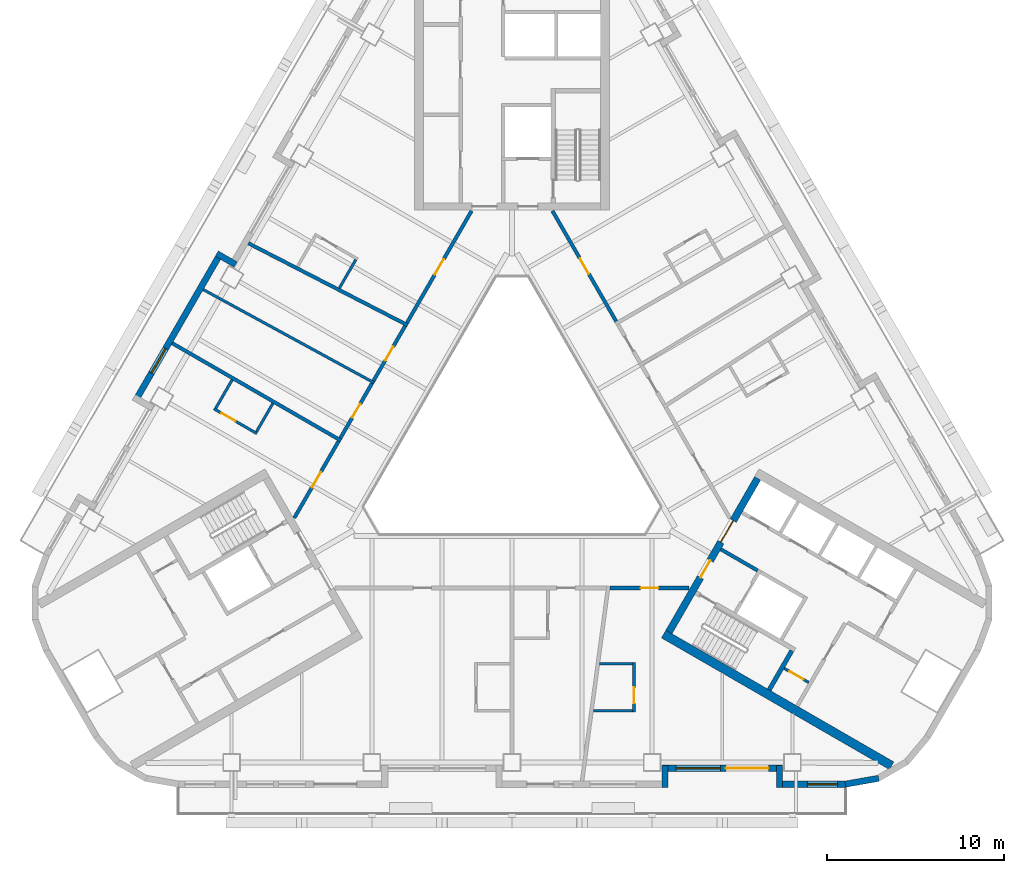
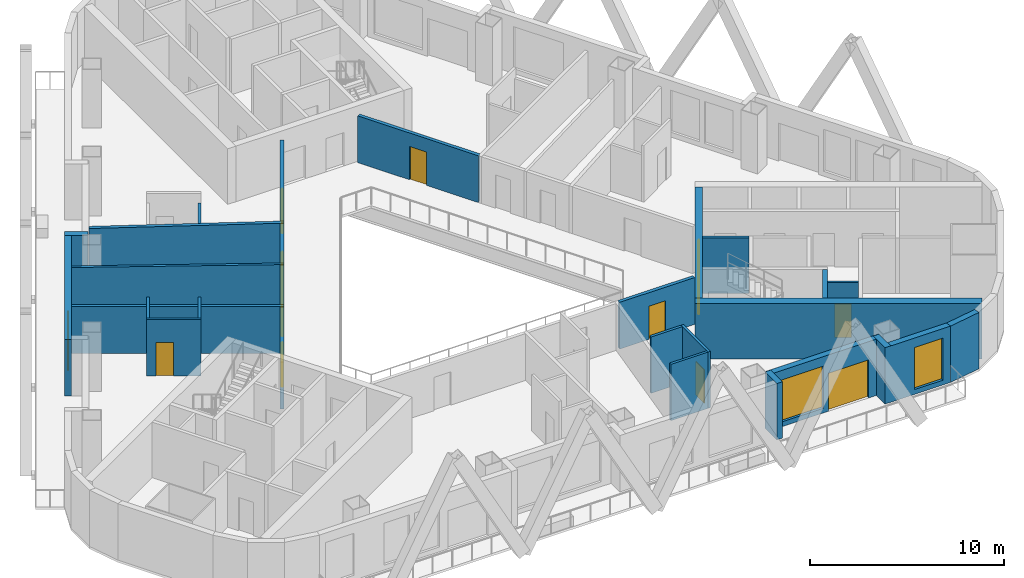
# One storey, part 4 of 13: 28 walls, 12 doors, 3 windows, 15 openings.
"""IFC4 building model written with IfcOpenShell, lengths in metres."""

from ifc_helpers import new_model, si_unit, direction, frame, frame_2d, origin, place, context, subcontext, project, spatial, rectangle, extrude, material, layer, layer_set, type_object, element, fill, save


model = new_model("IFC4")

# Units and contexts
model_context = context("Model", 3, precision=1e-05, world=origin(), true_north=direction((0.0, 1.0)))
body_context = subcontext(model_context, "Body", "Model", "MODEL_VIEW")
ifc_project = project(units=[si_unit("LENGTHUNIT", "METRE"), si_unit("AREAUNIT", "SQUARE_METRE"), si_unit("VOLUMEUNIT", "CUBIC_METRE"), si_unit("PLANEANGLEUNIT", "RADIAN"), si_unit("MASSUNIT", "GRAM", prefix="KILO")], contexts=[model_context])

# Site, building, storey
site_placement = place(None, origin())
site = spatial("IfcSite", under=ifc_project, at=site_placement, CompositionType="ELEMENT")
building_placement = place(site_placement, origin())
building = spatial("IfcBuilding", under=site, at=building_placement, Name="Apuvela Tower Hotel", CompositionType="ELEMENT")
storey_placement = place(building_placement, frame((0.0, 0.0, 61.300048828125)))
storey = spatial("IfcBuildingStorey", under=building, at=storey_placement, Name="L12", CompositionType="ELEMENT", Elevation=61.300048828125)

# Wall, openings, doors
ifc_material_1 = material(Name="Concrete C50/60", Category="concrete")
ifc_layer_1 = layer(ifc_material_1, 0.39990234375)
ifc_layer_set_1 = layer_set([ifc_layer_1], Name="COR-WALL-CORE-400")
wall_type_1 = type_object("IfcWallType", Name="COR-WALL-CORE-400", PredefinedType="SHEAR", material=ifc_layer_set_1)
wall_1_placement = place(storey_placement, frame((8.844970703125, -10.880126953125, 0.0), z_axis=(0.0, 0.0, 1.0), x_axis=(0.500004234368, 0.866022959057, 0.0)))
wall_1 = element("IfcWall", 1, at=wall_1_placement, inside=storey, type_object=wall_type_1, Name="Core wall SE", PredefinedType="SHEAR", context=body_context, shape_type="SweptSolid", body=[
    extrude(rectangle(XDim=10.0, YDim=0.39990234375, at=frame_2d((5.0, 0.0))), origin(), (0.0, 0.0, 1.0), 3.5),
])
opening_1_placement = place(wall_1_placement, frame((3.550048828125, 0.0, 0.0)))
opening_1 = element("IfcOpeningElement", 2, at=opening_1_placement, cuts=wall_1, Name="Opening E-FD", PredefinedType="OPENING", context=body_context, shape_type="SweptSolid", body=[
    extrude(rectangle(XDim=1.10009765625, YDim=2.10009765625, at=frame_2d((0.550048828125, 1.050048828125))), frame((0.0, 0.2099609375, 0.0), z_axis=(0.0, -1.0, 0.0), x_axis=(1.0, 0.0, 0.0)), (0.0, 0.0, 1.0), 0.419921875),
])
opening_2_placement = place(wall_1_placement, frame((5.85009765625, 0.0, 0.0)))
opening_2 = element("IfcOpeningElement", 3, at=opening_2_placement, cuts=wall_1, Name="Opening E-GD", PredefinedType="OPENING", context=body_context, shape_type="SweptSolid", body=[
    extrude(rectangle(XDim=1.39990234375, YDim=2.10009765625, at=frame_2d((0.699951171875, 1.050048828125))), frame((0.0, 0.2099609375, 0.0), z_axis=(0.0, -1.0, 0.0), x_axis=(1.0, 0.0, 0.0)), (0.0, 0.0, 1.0), 0.419921875),
])
ifc_material_2 = material(Name="Steel fire door, powder coated", Category="steel")
door_type_1 = type_object("IfcDoorType", Name="COR-FD-1100", OperationType="NOTDEFINED", PredefinedType="DOOR", material=ifc_material_2)
door_1_placement = place(opening_1_placement, frame((1.10009765625, 0.0, 0.0), z_axis=(0.0, 0.0, 1.0), x_axis=(-1.0, 0.0, 0.0)))
door_1 = element("IfcDoor", 4, at=door_1_placement, inside=storey, type_object=door_type_1, Name="Firefighting lobby door E-FD", OperationType="SINGLE_SWING_LEFT", OverallHeight=2.10009765625, OverallWidth=1.10009765625, PredefinedType="DOOR", context=body_context, shape_type="SweptSolid", body=[
    extrude(rectangle(XDim=1.10009765625, YDim=2.10009765625, at=frame_2d((0.550048828125, 1.050048828125))), frame((0.0, 0.02490234375, 0.0), z_axis=(0.0, -1.0, 0.0), x_axis=(1.0, 0.0, 0.0)), (0.0, 0.0, 1.0), 0.050048828125),
])
fill(opening_1, door_1)
ifc_material_3 = material(Name="Glazed steel fire door", Category="steel")
door_type_2 = type_object("IfcDoorType", Name="COR-GD-1400", OperationType="DOUBLE_DOOR_SINGLE_SWING", PredefinedType="DOOR", material=ifc_material_3)
door_2_placement = place(opening_2_placement, frame((1.39990234375, 0.0, 0.0), z_axis=(0.0, 0.0, 1.0), x_axis=(-1.0, 0.0, 0.0)))
door_2 = element("IfcDoor", 5, at=door_2_placement, inside=storey, type_object=door_type_2, Name="Lift lobby door E-GD", OperationType="DOUBLE_DOOR_SINGLE_SWING", OverallHeight=2.10009765625, OverallWidth=1.39990234375, PredefinedType="DOOR", context=body_context, shape_type="SweptSolid", body=[
    extrude(rectangle(XDim=1.39990234375, YDim=2.10009765625, at=frame_2d((0.699951171875, 1.050048828125))), frame((0.0, 0.02490234375, 0.0), z_axis=(0.0, -1.0, 0.0), x_axis=(1.0, 0.0, 0.0)), (0.0, 0.0, 1.0), 0.050048828125),
])
fill(opening_2, door_2)

# Wall
ifc_layer_2 = layer(ifc_material_1, 0.5)
ifc_layer_set_2 = layer_set([ifc_layer_2], Name="COR-WALL-CORE-500")
wall_type_2 = type_object("IfcWallType", Name="COR-WALL-CORE-500", PredefinedType="SHEAR", material=ifc_layer_set_2)
wall_2_placement = place(storey_placement, frame((8.546630859375, -10.99658203125, 0.0), z_axis=(0.0, 0.0, 1.0), x_axis=(0.866025009528, -0.500000682871, 0.0)))
element("IfcWall", 6, at=wall_2_placement, inside=storey, type_object=wall_type_2, Name="Core wall SE", PredefinedType="SHEAR", context=body_context, shape_type="SweptSolid", body=[
    extrude(rectangle(XDim=14.8369140625, YDim=0.5, at=frame_2d((7.41845703125, 0.0))), origin(), (0.0, 0.0, 1.0), 3.5),
])

# Wall, opening, door
ifc_material_4 = material(Name="Blockwork 150 mm plastered", Category="masonry")
ifc_layer_3 = layer(ifc_material_4, 0.14990234375)
ifc_layer_set_3 = layer_set([ifc_layer_3], Name="COR-WALL-PART-150")
wall_type_3 = type_object("IfcWallType", Name="COR-WALL-PART-150", PredefinedType="PARTITIONING", material=ifc_layer_set_3)
wall_3_placement = place(storey_placement, frame((15.341552734375, -12.927734375, 0.0), z_axis=(0.0, 0.0, 1.0), x_axis=(0.865989903783, -0.500061482766, 0.0)))
wall_3 = element("IfcWall", 7, at=wall_3_placement, inside=storey, type_object=wall_type_3, Name="Partition SE", PredefinedType="PARTITIONING", context=body_context, shape_type="SweptSolid", body=[
    extrude(rectangle(XDim=1.599853515625, YDim=0.14990234375, at=frame_2d((0.7998046875, 0.0))), origin(), (0.0, 0.0, 1.0), 3.5),
])
opening_3_placement = place(wall_3_placement, frame((0.35009765625, 0.0, 0.0)))
opening_3 = element("IfcOpeningElement", 8, at=opening_3_placement, cuts=wall_3, Name="Opening E-RD", PredefinedType="OPENING", context=body_context, shape_type="SweptSolid", body=[
    extrude(rectangle(XDim=0.89990234375, YDim=2.10009765625, at=frame_2d((0.449951171875, 1.050048828125))), frame((0.0, 0.0849609375, 0.0), z_axis=(0.0, -1.0, 0.0), x_axis=(1.0, 0.0, 0.0)), (0.0, 0.0, 1.0), 0.169921875),
])
ifc_material_5 = material(Name="Steel access door, powder coated", Category="steel")
door_type_3 = type_object("IfcDoorType", Name="COR-RD-900", OperationType="NOTDEFINED", PredefinedType="DOOR", material=ifc_material_5)
door_3_placement = place(opening_3_placement, frame((0.89990234375, 0.0, 0.0), z_axis=(0.0, 0.0, 1.0), x_axis=(-1.0, 0.0, 0.0)))
door_3 = element("IfcDoor", 9, at=door_3_placement, inside=storey, type_object=door_type_3, Name="Riser door E-RD", OperationType="SINGLE_SWING_LEFT", OverallHeight=2.10009765625, OverallWidth=0.89990234375, PredefinedType="DOOR", context=body_context, shape_type="SweptSolid", body=[
    extrude(rectangle(XDim=0.89990234375, YDim=2.10009765625, at=frame_2d((0.449951171875, 1.050048828125))), frame((0.0, 0.02490234375, 0.0), z_axis=(0.0, -1.0, 0.0), x_axis=(1.0, 0.0, 0.0)), (0.0, 0.0, 1.0), 0.050048828125),
])
fill(opening_3, door_3)

# Walls
ifc_layer_4 = layer(ifc_material_1, 0.199951171875)
ifc_layer_set_4 = layer_set([ifc_layer_4], Name="COR-WALL-SHAFT-200")
wall_type_4 = type_object("IfcWallType", Name="COR-WALL-SHAFT-200", PredefinedType="SHEAR", material=ifc_layer_set_4)
wall_4_placement = place(storey_placement, frame((11.76806640625, -6.217041015625, 0.0), z_axis=(0.0, 0.0, 1.0), x_axis=(0.866050077142, -0.499957262057, 0.0)))
element("IfcWall", 10, at=wall_4_placement, inside=storey, type_object=wall_type_4, Name="Shaft wall SE", PredefinedType="SHEAR", context=body_context, shape_type="SweptSolid", body=[
    extrude(rectangle(XDim=2.400146484375, YDim=0.199951171875, at=frame_2d((1.2001953125, 0.0))), origin(), (0.0, 0.0, 1.0), 3.5),
])
ifc_layer_5 = layer(ifc_material_1, 0.25)
ifc_layer_set_5 = layer_set([ifc_layer_5], Name="COR-WALL-STAIR-250")
wall_type_5 = type_object("IfcWallType", Name="COR-WALL-STAIR-250", PredefinedType="SHEAR", material=ifc_layer_set_5)
wall_5_placement = place(storey_placement, frame((14.49560546875, -14.142578125, 0.0), z_axis=(0.0, 0.0, 1.0), x_axis=(0.500062241894, 0.865989465428, 0.0)))
element("IfcWall", 11, at=wall_5_placement, inside=storey, type_object=wall_type_5, Name="Stair wall SE", PredefinedType="SHEAR", context=body_context, shape_type="SweptSolid", body=[
    extrude(rectangle(XDim=2.550048828125, YDim=0.25, at=frame_2d((1.27490234375, 0.0))), origin(), (0.0, 0.0, 1.0), 3.5),
])
ifc_material_6 = material(Name="Concrete C40/50, dark pigmented precast panel", Category="concrete")
ifc_layer_6 = layer(ifc_material_6, 0.35009765625)
ifc_layer_set_6 = layer_set([ifc_layer_6], Name="ENV-WALL-350")
wall_type_6 = type_object("IfcWallType", Name="ENV-WALL-350", PredefinedType="SOLIDWALL", material=ifc_layer_set_6)
wall_6_placement = place(storey_placement, frame((-15.580810546875, 9.8330078125, 0.0), z_axis=(0.0, 0.0, 1.0), x_axis=(-0.866055662726, 0.499947586314, 0.0)))
element("IfcWall", 12, at=wall_6_placement, inside=storey, type_object=wall_type_6, Name="External wall L12-04", PredefinedType="SOLIDWALL", context=body_context, shape_type="SweptSolid", body=[
    extrude(rectangle(XDim=1.220458984375, YDim=0.35009765625, at=frame_2d((0.6103515625, 0.0))), origin(), (0.0, 0.0, 1.0), 3.550048828125),
])

# Wall, opening, window
wall_7_placement = place(storey_placement, frame((-16.3984375, 10.507080078125, 0.0), z_axis=(0.0, 0.0, 1.0), x_axis=(-0.499999142773, -0.866025898704, 0.0)))
wall_7 = element("IfcWall", 13, at=wall_7_placement, inside=storey, type_object=wall_type_6, Name="External wall L12-05", PredefinedType="SOLIDWALL", context=body_context, shape_type="SweptSolid", body=[
    extrude(rectangle(XDim=9.7001953125, YDim=0.35009765625, at=frame_2d((4.85009765625, 0.0))), origin(), (0.0, 0.0, 1.0), 3.550048828125),
])
opening_4_placement = place(wall_7_placement, frame((6.25048828125, 0.0, 0.300048828125)))
opening_4 = element("IfcOpeningElement", 14, at=opening_4_placement, cuts=wall_7, Name="Opening WN16", PredefinedType="OPENING", context=body_context, shape_type="SweptSolid", body=[
    extrude(rectangle(XDim=1.60009765625, YDim=2.64990234375, at=frame_2d((0.800048828125, 1.324951171875))), frame((0.0, 0.18505859375, 0.0), z_axis=(0.0, -1.0, 0.0), x_axis=(1.0, 0.0, 0.0)), (0.0, 0.0, 1.0), 0.3701171875),
])
ifc_material_7 = material(Name="Glass, dark tinted laminated insulated glazing unit", Category="glass")
window_type_1 = type_object("IfcWindowType", Name="ENV-WIN-1600x2650", PartitioningType="SINGLE_PANEL", PredefinedType="WINDOW", material=ifc_material_7)
window_1_placement = place(opening_4_placement, origin())
window_1 = element("IfcWindow", 15, at=window_1_placement, inside=storey, type_object=window_type_1, Name="Window WN16", OverallHeight=2.64990234375, OverallWidth=1.60009765625, PartitioningType="SINGLE_PANEL", PredefinedType="WINDOW", context=body_context, shape_type="SweptSolid", body=[
    extrude(rectangle(XDim=1.60009765625, YDim=2.64990234375, at=frame_2d((0.800048828125, 1.324951171875))), frame((0.0, 0.030029296875, 0.0), z_axis=(0.0, -1.0, 0.0), x_axis=(1.0, 0.0, 0.0)), (0.0, 0.0, 1.0), 0.06005859375),
])
fill(opening_4, window_1)

# Wall
wall_8_placement = place(storey_placement, frame((8.625, -19.6298828125, 0.0), z_axis=(0.0, 0.0, 1.0), x_axis=(0.0, 1.0, 0.0)))
element("IfcWall", 16, at=wall_8_placement, inside=storey, type_object=wall_type_6, Name="External wall L12-22", PredefinedType="SOLIDWALL", context=body_context, shape_type="SweptSolid", body=[
    extrude(rectangle(XDim=1.219970703125, YDim=0.35009765625, at=frame_2d((0.60986328125, 0.0))), origin(), (0.0, 0.0, 1.0), 3.550048828125),
])

# Wall, openings, door, window
wall_9_placement = place(storey_placement, frame((8.47998046875, -18.554931640625, 0.0), z_axis=(0.0, 0.0, 1.0), x_axis=(1.0, 0.0, 0.0)))
wall_9 = element("IfcWall", 17, at=wall_9_placement, inside=storey, type_object=wall_type_6, Name="External wall L12-23", PredefinedType="SOLIDWALL", context=body_context, shape_type="SweptSolid", body=[
    extrude(rectangle(XDim=6.739990234375, YDim=0.35009765625, at=frame_2d((3.3701171875, 0.0))), origin(), (0.0, 0.0, 1.0), 3.550048828125),
])
opening_5_placement = place(wall_9_placement, frame((3.570068359375, 0.0, 0.0)))
opening_5 = element("IfcOpeningElement", 18, at=opening_5_placement, cuts=wall_9, Name="Opening BD24", PredefinedType="OPENING", context=body_context, shape_type="SweptSolid", body=[
    extrude(rectangle(XDim=2.39990234375, YDim=2.39990234375, at=frame_2d((1.199951171875, 1.199951171875))), frame((0.0, 0.18505859375, 0.0), z_axis=(0.0, -1.0, 0.0), x_axis=(1.0, 0.0, 0.0)), (0.0, 0.0, 1.0), 0.3701171875),
])
opening_6_placement = place(wall_9_placement, frame((0.77001953125, 0.0, 0.300048828125)))
opening_6 = element("IfcOpeningElement", 19, at=opening_6_placement, cuts=wall_9, Name="Opening WN25", PredefinedType="OPENING", context=body_context, shape_type="SweptSolid", body=[
    extrude(rectangle(XDim=2.5, YDim=2.64990234375, at=frame_2d((1.25, 1.324951171875))), frame((0.0, 0.18505859375, 0.0), z_axis=(0.0, -1.0, 0.0), x_axis=(1.0, 0.0, 0.0)), (0.0, 0.0, 1.0), 0.3701171875),
])
ifc_material_8 = material(Name="Aluminium 6063-T6, dark bronze anodised frame with dark tinted laminated glass", Category="aluminium")
door_type_4 = type_object("IfcDoorType", Name="ENV-DOOR-BALCONY-2400x2400", OperationType="SLIDING_TO_LEFT", PredefinedType="DOOR", material=ifc_material_8)
door_4_placement = place(opening_5_placement, frame((2.39990234375, 0.0, 0.0), z_axis=(0.0, 0.0, 1.0), x_axis=(-1.0, 0.0, 0.0)))
door_4 = element("IfcDoor", 20, at=door_4_placement, inside=storey, type_object=door_type_4, Name="Balcony door BD24", OperationType="SLIDING_TO_LEFT", OverallHeight=2.39990234375, OverallWidth=2.39990234375, PredefinedType="DOOR", context=body_context, shape_type="SweptSolid", body=[
    extrude(rectangle(XDim=2.39990234375, YDim=2.39990234375, at=frame_2d((1.199951171875, 1.199951171875))), frame((0.0, 0.02490234375, 0.0), z_axis=(0.0, -1.0, 0.0), x_axis=(1.0, 0.0, 0.0)), (0.0, 0.0, 1.0), 0.050048828125),
])
fill(opening_5, door_4)
window_type_2 = type_object("IfcWindowType", Name="ENV-WIN-2500x2650", PartitioningType="SINGLE_PANEL", PredefinedType="WINDOW", material=ifc_material_7)
window_2_placement = place(opening_6_placement, origin())
window_2 = element("IfcWindow", 21, at=window_2_placement, inside=storey, type_object=window_type_2, Name="Window WN25", OverallHeight=2.64990234375, OverallWidth=2.5, PartitioningType="SINGLE_PANEL", PredefinedType="WINDOW", context=body_context, shape_type="SweptSolid", body=[
    extrude(rectangle(XDim=2.5, YDim=2.64990234375, at=frame_2d((1.25, 1.324951171875))), frame((0.0, 0.030029296875, 0.0), z_axis=(0.0, -1.0, 0.0), x_axis=(1.0, 0.0, 0.0)), (0.0, 0.0, 1.0), 0.06005859375),
])
fill(opening_6, window_2)

# Wall
wall_10_placement = place(storey_placement, frame((15.074951171875, -18.409912109375, 0.0), z_axis=(0.0, 0.0, 1.0), x_axis=(0.0, -1.0, 0.0)))
element("IfcWall", 22, at=wall_10_placement, inside=storey, type_object=wall_type_6, Name="External wall L12-24", PredefinedType="SOLIDWALL", context=body_context, shape_type="SweptSolid", body=[
    extrude(rectangle(XDim=1.219970703125, YDim=0.35009765625, at=frame_2d((0.60986328125, 0.0))), origin(), (0.0, 0.0, 1.0), 3.550048828125),
])

# Wall, opening, window
wall_11_placement = place(storey_placement, frame((14.89990234375, -19.455078125, 0.0), z_axis=(0.0, 0.0, 1.0), x_axis=(1.0, 0.0, 0.0)))
wall_11 = element("IfcWall", 23, at=wall_11_placement, inside=storey, type_object=wall_type_6, Name="External wall L12-25", PredefinedType="SOLIDWALL", context=body_context, shape_type="SweptSolid", body=[
    extrude(rectangle(XDim=3.916015625, YDim=0.35009765625, at=frame_2d((1.9580078125, 0.0))), origin(), (0.0, 0.0, 1.0), 3.550048828125),
])
opening_7_placement = place(wall_11_placement, frame((1.749755859375, 0.0, 0.300048828125)))
opening_7 = element("IfcOpeningElement", 24, at=opening_7_placement, cuts=wall_11, Name="Opening WN17", PredefinedType="OPENING", context=body_context, shape_type="SweptSolid", body=[
    extrude(rectangle(XDim=1.699951171875, YDim=2.64990234375, at=frame_2d((0.85009765625, 1.324951171875))), frame((0.0, 0.18505859375, 0.0), z_axis=(0.0, -1.0, 0.0), x_axis=(1.0, 0.0, 0.0)), (0.0, 0.0, 1.0), 0.3701171875),
])
window_type_3 = type_object("IfcWindowType", Name="ENV-WIN-1700x2650", PartitioningType="SINGLE_PANEL", PredefinedType="WINDOW", material=ifc_material_7)
window_3_placement = place(opening_7_placement, origin())
window_3 = element("IfcWindow", 25, at=window_3_placement, inside=storey, type_object=window_type_3, Name="Window WN17", OverallHeight=2.64990234375, OverallWidth=1.699951171875, PartitioningType="SINGLE_PANEL", PredefinedType="WINDOW", context=body_context, shape_type="SweptSolid", body=[
    extrude(rectangle(XDim=1.699951171875, YDim=2.64990234375, at=frame_2d((0.85009765625, 1.324951171875))), frame((0.0, 0.030029296875, 0.0), z_axis=(0.0, -1.0, 0.0), x_axis=(1.0, 0.0, 0.0)), (0.0, 0.0, 1.0), 0.06005859375),
])
fill(opening_7, window_3)

# Walls
wall_12_placement = place(storey_placement, frame((18.785400390625, -19.457763671875, 0.0), z_axis=(0.0, 0.0, 1.0), x_axis=(0.984798995425, 0.173697837091, 0.0)))
element("IfcWall", 26, at=wall_12_placement, inside=storey, type_object=wall_type_6, Name="External wall L12-26", PredefinedType="SOLIDWALL", context=body_context, shape_type="SweptSolid", body=[
    extrude(rectangle(XDim=1.91015625, YDim=0.35009765625, at=frame_2d((0.955078125, 0.0))), origin(), (0.0, 0.0, 1.0), 3.550048828125),
])
ifc_material_9 = material(Name="Gypsum board partition on twin steel stud", Category="steel")
ifc_layer_7 = layer(ifc_material_9, 0.199951171875)
ifc_layer_set_7 = layer_set([ifc_layer_7], Name="GST-PW1")
wall_type_7 = type_object("IfcWallType", Name="GST-PW1", PredefinedType="PARTITIONING", material=ifc_layer_set_7)
wall_13_placement = place(storey_placement, frame((-14.855712890625, 11.02880859375, 0.0), z_axis=(0.0, 0.0, 1.0), x_axis=(0.889105841633, -0.457701652142, 0.0)))
element("IfcWall", 27, at=wall_13_placement, inside=storey, type_object=wall_type_7, Name="L12 partition 05", PredefinedType="PARTITIONING", context=body_context, shape_type="SweptSolid", body=[
    extrude(rectangle(XDim=10.091552734375, YDim=0.199951171875, at=frame_2d((5.0458984375, 0.0))), origin(), (0.0, 0.0, 1.0), 2.9599609375),
])
wall_14_placement = place(storey_placement, frame((-19.14697265625, 5.396484375, 0.0), z_axis=(0.0, 0.0, 1.0), x_axis=(0.866027479907, -0.499996404033, 0.0)))
element("IfcWall", 28, at=wall_14_placement, inside=storey, type_object=wall_type_7, Name="L12 partition 06", PredefinedType="PARTITIONING", context=body_context, shape_type="SweptSolid", body=[
    extrude(rectangle(XDim=10.97998046875, YDim=0.199951171875, at=frame_2d((5.489990234375, 0.0))), origin(), (0.0, 0.0, 1.0), 2.9599609375),
])

# Wall, opening, door
ifc_material_10 = material(Name="Gypsum board corridor wall on twin steel stud, acoustic", Category="steel")
ifc_layer_8 = layer(ifc_material_10, 0.199951171875)
ifc_layer_set_8 = layer_set([ifc_layer_8], Name="GST-PW2")
wall_type_8 = type_object("IfcWallType", Name="GST-PW2", PredefinedType="PARTITIONING", material=ifc_layer_set_8)
wall_15_placement = place(storey_placement, frame((9.98828125, -8.39990234375, 0.0), z_axis=(0.0, 0.0, 1.0), x_axis=(-1.0, 0.0, 0.0)))
wall_15 = element("IfcWall", 29, at=wall_15_placement, inside=storey, type_object=wall_type_8, Name="L12 partition 14", PredefinedType="PARTITIONING", context=body_context, shape_type="SweptSolid", body=[
    extrude(rectangle(XDim=4.473876953125, YDim=0.199951171875, at=frame_2d((2.23681640625, 0.0))), origin(), (0.0, 0.0, 1.0), 2.949951171875),
])
opening_8_placement = place(wall_15_placement, frame((1.73681640625, 0.0, 0.0)))
opening_8 = element("IfcOpeningElement", 30, at=opening_8_placement, cuts=wall_15, Name="Opening GD03-06", PredefinedType="OPENING", context=body_context, shape_type="SweptSolid", body=[
    extrude(rectangle(XDim=1.0, YDim=2.10009765625, at=frame_2d((0.5, 1.050048828125))), frame((0.0, 0.10986328125, 0.0), z_axis=(0.0, -1.0, 0.0), x_axis=(1.0, 0.0, 0.0)), (0.0, 0.0, 1.0), 0.219970703125),
])
ifc_material_11 = material(Name="Timber door leaf in steel frame", Category="steel")
door_type_5 = type_object("IfcDoorType", Name="GST-D1", OperationType="NOTDEFINED", PredefinedType="DOOR", material=ifc_material_11)
door_5_placement = place(opening_8_placement, origin())
door_5 = element("IfcDoor", 31, at=door_5_placement, inside=storey, type_object=door_type_5, Name="Door L12-06", OperationType="SINGLE_SWING_RIGHT", OverallHeight=2.10009765625, OverallWidth=1.0, PredefinedType="DOOR", context=body_context, shape_type="SweptSolid", body=[
    extrude(rectangle(XDim=1.0, YDim=2.10009765625, at=frame_2d((0.5, 1.050048828125))), frame((0.0, 0.02490234375, 0.0), z_axis=(0.0, -1.0, 0.0), x_axis=(1.0, 0.0, 0.0)), (0.0, 0.0, 1.0), 0.050048828125),
])
fill(opening_8, door_5)

wall_16_placement = place(storey_placement, frame((2.280517578125, 12.85009765625, 0.0), z_axis=(0.0, 0.0, 1.0), x_axis=(0.499992939664, -0.866029480033, 0.0)))
wall_16 = element("IfcWall", 32, at=wall_16_placement, inside=storey, type_object=wall_type_8, Name="L12 partition 25", PredefinedType="PARTITIONING", context=body_context, shape_type="SweptSolid", body=[
    extrude(rectangle(XDim=7.18798828125, YDim=0.199951171875, at=frame_2d((3.593994140625, 0.0))), origin(), (0.0, 0.0, 1.0), 2.949951171875),
])
opening_9_placement = place(wall_16_placement, frame((3.093994140625, 0.0, 0.0)))
opening_9 = element("IfcOpeningElement", 33, at=opening_9_placement, cuts=wall_16, Name="Opening GD03-12", PredefinedType="OPENING", context=body_context, shape_type="SweptSolid", body=[
    extrude(rectangle(XDim=1.0, YDim=2.10009765625, at=frame_2d((0.5, 1.050048828125))), frame((0.0, 0.10986328125, 0.0), z_axis=(0.0, -1.0, 0.0), x_axis=(1.0, 0.0, 0.0)), (0.0, 0.0, 1.0), 0.219970703125),
])
door_6_placement = place(opening_9_placement, origin())
door_6 = element("IfcDoor", 34, at=door_6_placement, inside=storey, type_object=door_type_5, Name="Door L12-12", OperationType="SINGLE_SWING_RIGHT", OverallHeight=2.10009765625, OverallWidth=1.0, PredefinedType="DOOR", context=body_context, shape_type="SweptSolid", body=[
    extrude(rectangle(XDim=1.0, YDim=2.10009765625, at=frame_2d((0.5, 1.050048828125))), frame((0.0, 0.02490234375, 0.0), z_axis=(0.0, -1.0, 0.0), x_axis=(1.0, 0.0, 0.0)), (0.0, 0.0, 1.0), 0.050048828125),
])
fill(opening_9, door_6)

wall_17_placement = place(storey_placement, frame((-5.922119140625, 6.54248046875, 0.0), z_axis=(0.0, 0.0, 1.0), x_axis=(0.499989401968, 0.866031522475, 0.0)))
wall_17 = element("IfcWall", 35, at=wall_17_placement, inside=storey, type_object=wall_type_8, Name="L12 partition 29", PredefinedType="PARTITIONING", context=body_context, shape_type="SweptSolid", body=[
    extrude(rectangle(XDim=7.283447265625, YDim=0.199951171875, at=frame_2d((3.6416015625, 0.0))), origin(), (0.0, 0.0, 1.0), 2.949951171875),
])
opening_10_placement = place(wall_17_placement, frame((3.1416015625, 0.0, 0.0)))
opening_10 = element("IfcOpeningElement", 36, at=opening_10_placement, cuts=wall_17, Name="Opening GD03-14", PredefinedType="OPENING", context=body_context, shape_type="SweptSolid", body=[
    extrude(rectangle(XDim=1.0, YDim=2.10009765625, at=frame_2d((0.5, 1.050048828125))), frame((0.0, 0.10986328125, 0.0), z_axis=(0.0, -1.0, 0.0), x_axis=(1.0, 0.0, 0.0)), (0.0, 0.0, 1.0), 0.219970703125),
])
door_7_placement = place(opening_10_placement, origin())
door_7 = element("IfcDoor", 37, at=door_7_placement, inside=storey, type_object=door_type_5, Name="Door L12-14", OperationType="SINGLE_SWING_LEFT", OverallHeight=2.10009765625, OverallWidth=1.0, PredefinedType="DOOR", context=body_context, shape_type="SweptSolid", body=[
    extrude(rectangle(XDim=1.0, YDim=2.10009765625, at=frame_2d((0.5, 1.050048828125))), frame((0.0, 0.02490234375, 0.0), z_axis=(0.0, -1.0, 0.0), x_axis=(1.0, 0.0, 0.0)), (0.0, 0.0, 1.0), 0.050048828125),
])
fill(opening_10, door_7)

wall_18_placement = place(storey_placement, frame((-7.810791015625, 3.27099609375, 0.0), z_axis=(0.0, 0.0, 1.0), x_axis=(0.4999705729, 0.866042392862, 0.0)))
wall_18 = element("IfcWall", 38, at=wall_18_placement, inside=storey, type_object=wall_type_8, Name="L12 partition 34", PredefinedType="PARTITIONING", context=body_context, shape_type="SweptSolid", body=[
    extrude(rectangle(XDim=3.577392578125, YDim=0.199951171875, at=frame_2d((1.78857421875, 0.0))), origin(), (0.0, 0.0, 1.0), 2.949951171875),
])
opening_11_placement = place(wall_18_placement, frame((1.338623046875, 0.0, 0.0)))
opening_11 = element("IfcOpeningElement", 39, at=opening_11_placement, cuts=wall_18, Name="Opening GD03-15", PredefinedType="OPENING", context=body_context, shape_type="SweptSolid", body=[
    extrude(rectangle(XDim=0.89990234375, YDim=2.10009765625, at=frame_2d((0.449951171875, 1.050048828125))), frame((0.0, 0.10986328125, 0.0), z_axis=(0.0, -1.0, 0.0), x_axis=(1.0, 0.0, 0.0)), (0.0, 0.0, 1.0), 0.219970703125),
])
door_type_6 = type_object("IfcDoorType", Name="GST-D2", OperationType="NOTDEFINED", PredefinedType="DOOR", material=ifc_material_11)
door_8_placement = place(opening_11_placement, origin())
door_8 = element("IfcDoor", 40, at=door_8_placement, inside=storey, type_object=door_type_6, Name="Door L12-15", OperationType="SINGLE_SWING_LEFT", OverallHeight=2.10009765625, OverallWidth=0.89990234375, PredefinedType="DOOR", context=body_context, shape_type="SweptSolid", body=[
    extrude(rectangle(XDim=0.89990234375, YDim=2.10009765625, at=frame_2d((0.449951171875, 1.050048828125))), frame((0.0, 0.02490234375, 0.0), z_axis=(0.0, -1.0, 0.0), x_axis=(1.0, 0.0, 0.0)), (0.0, 0.0, 1.0), 0.050048828125),
])
fill(opening_11, door_8)

wall_19_placement = place(storey_placement, frame((-9.674560546875, 0.043212890625, 0.0), z_axis=(0.0, 0.0, 1.0), x_axis=(0.500000124603, 0.866025331845, 0.0)))
wall_19 = element("IfcWall", 41, at=wall_19_placement, inside=storey, type_object=wall_type_8, Name="L12 partition 35", PredefinedType="PARTITIONING", context=body_context, shape_type="SweptSolid", body=[
    extrude(rectangle(XDim=3.5771484375, YDim=0.199951171875, at=frame_2d((1.78857421875, 0.0))), origin(), (0.0, 0.0, 1.0), 2.949951171875),
])
opening_12_placement = place(wall_19_placement, frame((1.338623046875, 0.0, 0.0)))
opening_12 = element("IfcOpeningElement", 42, at=opening_12_placement, cuts=wall_19, Name="Opening GD03-16", PredefinedType="OPENING", context=body_context, shape_type="SweptSolid", body=[
    extrude(rectangle(XDim=0.89990234375, YDim=2.10009765625, at=frame_2d((0.449951171875, 1.050048828125))), frame((0.0, 0.10986328125, 0.0), z_axis=(0.0, -1.0, 0.0), x_axis=(1.0, 0.0, 0.0)), (0.0, 0.0, 1.0), 0.219970703125),
])
door_9_placement = place(opening_12_placement, origin())
door_9 = element("IfcDoor", 43, at=door_9_placement, inside=storey, type_object=door_type_6, Name="Door L12-16", OperationType="SINGLE_SWING_RIGHT", OverallHeight=2.10009765625, OverallWidth=0.89990234375, PredefinedType="DOOR", context=body_context, shape_type="SweptSolid", body=[
    extrude(rectangle(XDim=0.89990234375, YDim=2.10009765625, at=frame_2d((0.449951171875, 1.050048828125))), frame((0.0, 0.02490234375, 0.0), z_axis=(0.0, -1.0, 0.0), x_axis=(1.0, 0.0, 0.0)), (0.0, 0.0, 1.0), 0.050048828125),
])
fill(opening_12, door_9)

wall_20_placement = place(storey_placement, frame((-12.268798828125, -4.449951171875, 0.0), z_axis=(0.0, 0.0, 1.0), x_axis=(0.500013374061, 0.866017682129, 0.0)))
wall_20 = element("IfcWall", 44, at=wall_20_placement, inside=storey, type_object=wall_type_8, Name="L12 partition 36", PredefinedType="PARTITIONING", context=body_context, shape_type="SweptSolid", body=[
    extrude(rectangle(XDim=4.988037109375, YDim=0.199951171875, at=frame_2d((2.494140625, 0.0))), origin(), (0.0, 0.0, 1.0), 2.949951171875),
])
opening_13_placement = place(wall_20_placement, frame((1.994140625, 0.0, 0.0)))
opening_13 = element("IfcOpeningElement", 45, at=opening_13_placement, cuts=wall_20, Name="Opening GD03-18", PredefinedType="OPENING", context=body_context, shape_type="SweptSolid", body=[
    extrude(rectangle(XDim=1.0, YDim=2.10009765625, at=frame_2d((0.5, 1.050048828125))), frame((0.0, 0.10986328125, 0.0), z_axis=(0.0, -1.0, 0.0), x_axis=(1.0, 0.0, 0.0)), (0.0, 0.0, 1.0), 0.219970703125),
])
door_10_placement = place(opening_13_placement, origin())
door_10 = element("IfcDoor", 46, at=door_10_placement, inside=storey, type_object=door_type_5, Name="Door L12-18", OperationType="SINGLE_SWING_RIGHT", OverallHeight=2.10009765625, OverallWidth=1.0, PredefinedType="DOOR", context=body_context, shape_type="SweptSolid", body=[
    extrude(rectangle(XDim=1.0, YDim=2.10009765625, at=frame_2d((0.5, 1.050048828125))), frame((0.0, 0.02490234375, 0.0), z_axis=(0.0, -1.0, 0.0), x_axis=(1.0, 0.0, 0.0)), (0.0, 0.0, 1.0), 0.050048828125),
])
fill(opening_13, door_10)

ifc_material_12 = material(Name="Moisture-resistant gypsum board wet wall on steel stud", Category="steel")
ifc_layer_9 = layer(ifc_material_12, 0.14990234375)
ifc_layer_set_9 = layer_set([ifc_layer_9], Name="GST-PW3")
wall_type_9 = type_object("IfcWallType", Name="GST-PW3", PredefinedType="PARTITIONING", material=ifc_layer_set_9)
wall_21_placement = place(storey_placement, frame((6.87451171875, -15.39990234375, 0.0), z_axis=(0.0, 0.0, 1.0), x_axis=(0.0, 1.0, 0.0)))
wall_21 = element("IfcWall", 47, at=wall_21_placement, inside=storey, type_object=wall_type_9, Name="L12 partition 15", PredefinedType="PARTITIONING", context=body_context, shape_type="SweptSolid", body=[
    extrude(rectangle(XDim=2.7998046875, YDim=0.14990234375, at=frame_2d((1.39990234375, 0.0))), origin(), (0.0, 0.0, 1.0), 3.550048828125),
])
opening_14_placement = place(wall_21_placement, frame((0.5, 0.0, 0.0)))
opening_14 = element("IfcOpeningElement", 48, at=opening_14_placement, cuts=wall_21, Name="Opening GD03-05", PredefinedType="OPENING", context=body_context, shape_type="SweptSolid", body=[
    extrude(rectangle(XDim=0.89990234375, YDim=2.10009765625, at=frame_2d((0.449951171875, 1.050048828125))), frame((0.0, 0.0849609375, 0.0), z_axis=(0.0, -1.0, 0.0), x_axis=(1.0, 0.0, 0.0)), (0.0, 0.0, 1.0), 0.169921875),
])
door_11_placement = place(opening_14_placement, origin())
door_11 = element("IfcDoor", 49, at=door_11_placement, inside=storey, type_object=door_type_6, Name="Door L12-05", OperationType="SINGLE_SWING_LEFT", OverallHeight=2.10009765625, OverallWidth=0.89990234375, PredefinedType="DOOR", context=body_context, shape_type="SweptSolid", body=[
    extrude(rectangle(XDim=0.89990234375, YDim=2.10009765625, at=frame_2d((0.449951171875, 1.050048828125))), frame((0.0, 0.02490234375, 0.0), z_axis=(0.0, -1.0, 0.0), x_axis=(1.0, 0.0, 0.0)), (0.0, 0.0, 1.0), 0.050048828125),
])
fill(opening_14, door_11)

# Walls
wall_22_placement = place(storey_placement, frame((4.5830078125, -15.324951171875, 0.0), z_axis=(0.0, 0.0, 1.0), x_axis=(1.0, 0.0, 0.0)))
element("IfcWall", 50, at=wall_22_placement, inside=storey, type_object=wall_type_9, Name="L12 partition 16", PredefinedType="PARTITIONING", context=body_context, shape_type="SweptSolid", body=[
    extrude(rectangle(XDim=2.21630859375, YDim=0.14990234375, at=frame_2d((1.108154296875, 0.0))), origin(), (0.0, 0.0, 1.0), 3.550048828125),
])
wall_23_placement = place(storey_placement, frame((4.939208984375, -12.675048828125, 0.0), z_axis=(0.0, 0.0, 1.0), x_axis=(1.0, 0.0, 0.0)))
element("IfcWall", 51, at=wall_23_placement, inside=storey, type_object=wall_type_9, Name="L12 partition 17", PredefinedType="PARTITIONING", context=body_context, shape_type="SweptSolid", body=[
    extrude(rectangle(XDim=1.860107421875, YDim=0.14990234375, at=frame_2d((0.93017578125, 0.0))), origin(), (0.0, 0.0, 1.0), 3.550048828125),
])
wall_24_placement = place(storey_placement, frame((-8.80078125, 10.106689453125, 0.0), z_axis=(0.0, 0.0, 1.0), x_axis=(-0.499992292652, -0.866029853578, 0.0)))
element("IfcWall", 52, at=wall_24_placement, inside=storey, type_object=wall_type_9, Name="L12 partition 32", PredefinedType="PARTITIONING", context=body_context, shape_type="SweptSolid", body=[
    extrude(rectangle(XDim=1.853515625, YDim=0.14990234375, at=frame_2d((0.9267578125, 0.0))), origin(), (0.0, 0.0, 1.0), 2.949951171875),
])
wall_25_placement = place(storey_placement, frame((-17.402099609375, 8.4189453125, 0.0), z_axis=(0.0, 0.0, 1.0), x_axis=(0.877831004422, -0.47897048727, 0.0)))
element("IfcWall", 53, at=wall_25_placement, inside=storey, type_object=wall_type_9, Name="L12 partition 33", PredefinedType="PARTITIONING", context=body_context, shape_type="SweptSolid", body=[
    extrude(rectangle(XDim=10.9833984375, YDim=0.14990234375, at=frame_2d((5.49169921875, 0.0))), origin(), (0.0, 0.0, 1.0), 2.9599609375),
])

# Wall, opening, door
wall_26_placement = place(storey_placement, frame((-16.79931640625, 1.702880859375, 0.0), z_axis=(0.0, 0.0, 1.0), x_axis=(0.865996816683, -0.500049511043, 0.0)))
wall_26 = element("IfcWall", 54, at=wall_26_placement, inside=storey, type_object=wall_type_9, Name="L12 partition 37", PredefinedType="PARTITIONING", context=body_context, shape_type="SweptSolid", body=[
    extrude(rectangle(XDim=2.800048828125, YDim=0.14990234375, at=frame_2d((1.39990234375, 0.0))), origin(), (0.0, 0.0, 1.0), 3.550048828125),
])
opening_15_placement = place(wall_26_placement, frame((0.5, 0.0, 0.0)))
opening_15 = element("IfcOpeningElement", 55, at=opening_15_placement, cuts=wall_26, Name="Opening GD03-17", PredefinedType="OPENING", context=body_context, shape_type="SweptSolid", body=[
    extrude(rectangle(XDim=0.89990234375, YDim=2.10009765625, at=frame_2d((0.449951171875, 1.050048828125))), frame((0.0, 0.0849609375, 0.0), z_axis=(0.0, -1.0, 0.0), x_axis=(1.0, 0.0, 0.0)), (0.0, 0.0, 1.0), 0.169921875),
])
door_12_placement = place(opening_15_placement, origin())
door_12 = element("IfcDoor", 56, at=door_12_placement, inside=storey, type_object=door_type_6, Name="Door L12-17", OperationType="SINGLE_SWING_LEFT", OverallHeight=2.10009765625, OverallWidth=0.89990234375, PredefinedType="DOOR", context=body_context, shape_type="SweptSolid", body=[
    extrude(rectangle(XDim=0.89990234375, YDim=2.10009765625, at=frame_2d((0.449951171875, 1.050048828125))), frame((0.0, 0.02490234375, 0.0), z_axis=(0.0, -1.0, 0.0), x_axis=(1.0, 0.0, 0.0)), (0.0, 0.0, 1.0), 0.050048828125),
])
fill(opening_15, door_12)

# Walls
wall_27_placement = place(storey_placement, frame((-15.771728515625, 3.33251953125, 0.0), z_axis=(0.0, 0.0, 1.0), x_axis=(-0.499985172903, -0.866033964044, 0.0)))
element("IfcWall", 57, at=wall_27_placement, inside=storey, type_object=wall_type_9, Name="L12 partition 38", PredefinedType="PARTITIONING", context=body_context, shape_type="SweptSolid", body=[
    extrude(rectangle(XDim=1.85009765625, YDim=0.14990234375, at=frame_2d((0.925048828125, 0.0))), origin(), (0.0, 0.0, 1.0), 3.550048828125),
])
wall_28_placement = place(storey_placement, frame((-13.476806640625, 2.00732421875, 0.0), z_axis=(0.0, 0.0, 1.0), x_axis=(-0.500042316284, -0.866000971088, 0.0)))
element("IfcWall", 58, at=wall_28_placement, inside=storey, type_object=wall_type_9, Name="L12 partition 39", PredefinedType="PARTITIONING", context=body_context, shape_type="SweptSolid", body=[
    extrude(rectangle(XDim=1.849853515625, YDim=0.14990234375, at=frame_2d((0.9248046875, 0.0))), origin(), (0.0, 0.0, 1.0), 3.550048828125),
])

save(model, "model.ifc")
